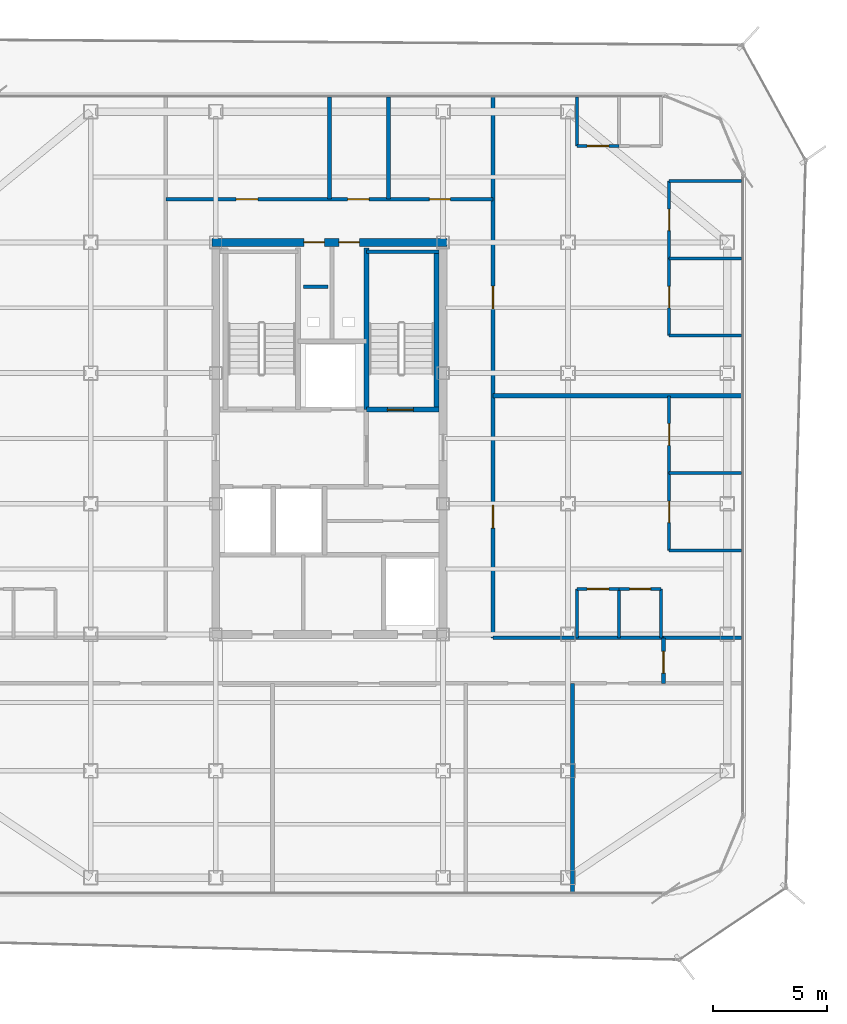
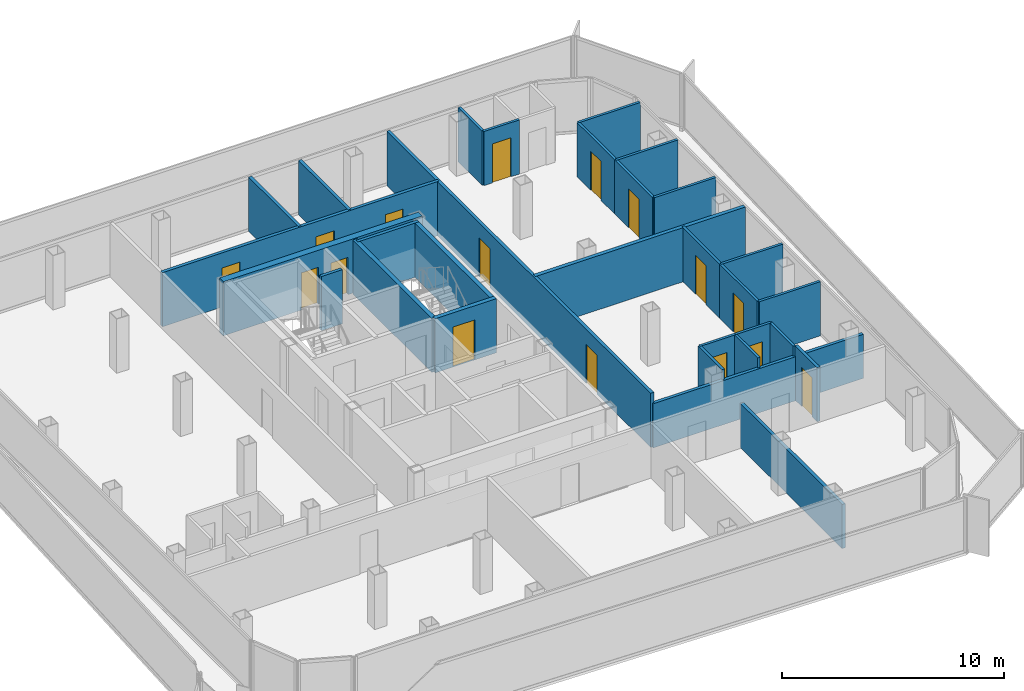
# One storey, part 11 of 15: 31 walls, 16 doors, 16 openings.
"""IFC4 building model written with IfcOpenShell, lengths in metres."""

from ifc_helpers import new_model, si_unit, direction, frame, frame_2d, origin, place, context, subcontext, project, spatial, rectangle, extrude, material, layer, layer_set, type_object, element, fill, save


model = new_model("IFC4")

# Units and contexts
model_context = context("Model", 3, precision=1e-05, world=origin(), true_north=direction((0.0, 1.0)))
body_context = subcontext(model_context, "Body", "Model", "MODEL_VIEW")
ifc_project = project(units=[si_unit("LENGTHUNIT", "METRE"), si_unit("AREAUNIT", "SQUARE_METRE"), si_unit("VOLUMEUNIT", "CUBIC_METRE"), si_unit("PLANEANGLEUNIT", "RADIAN"), si_unit("MASSUNIT", "GRAM", prefix="KILO")], contexts=[model_context])

# Site, building, storey
site_placement = place(None, origin())
site = spatial("IfcSite", under=ifc_project, at=site_placement, CompositionType="ELEMENT")
building_placement = place(site_placement, origin())
building = spatial("IfcBuilding", under=site, at=building_placement, Name="Kolveth Station Tower", CompositionType="ELEMENT")
storey_placement = place(building_placement, frame((0.0, 0.0, 268.10009765625)))
storey = spatial("IfcBuildingStorey", under=building, at=storey_placement, Name="L77", CompositionType="ELEMENT", Elevation=268.10009765625)

# Wall, openings, doors
ifc_material_1 = material(Name="Concrete C50/60", Category="concrete")
ifc_layer_1 = layer(ifc_material_1, 0.35009765625)
ifc_layer_set_1 = layer_set([ifc_layer_1], Name="Concrete C50/60")
wall_type_1 = type_object("IfcWallType", Name="Wall_CW-350", PredefinedType="SHEAR", material=ifc_layer_set_1)
wall_1_placement = place(storey_placement, frame((18.324951171875, 28.75, 0.0), z_axis=(0.0, 0.0, 1.0), x_axis=(1.0, 0.0, 0.0)))
wall_1 = element("IfcWall", 1, at=wall_1_placement, inside=storey, type_object=wall_type_1, Name="L77 Core RC Shear Wall N", PredefinedType="SHEAR", context=body_context, shape_type="SweptSolid", body=[
    extrude(rectangle(XDim=10.35009765625, YDim=0.35009765625, at=frame_2d((5.175048828125, 0.0))), origin(), (0.0, 0.0, 1.0), 2.97998046875),
])
opening_1_placement = place(wall_1_placement, frame((4.054931640625, 0.0, 0.0)))
opening_1 = element("IfcOpeningElement", 2, at=opening_1_placement, cuts=wall_1, Name="Opening RD1", PredefinedType="OPENING", context=body_context, shape_type="SweptSolid", body=[
    extrude(rectangle(XDim=0.89990234375, YDim=2.050048828125, at=frame_2d((0.449951171875, 1.02490234375))), frame((0.0, 0.18505859375, 0.0), z_axis=(0.0, -1.0, 0.0), x_axis=(1.0, 0.0, 0.0)), (0.0, 0.0, 1.0), 0.3701171875),
])
opening_2_placement = place(wall_1_placement, frame((5.594970703125, 0.0, 0.0)))
opening_2 = element("IfcOpeningElement", 3, at=opening_2_placement, cuts=wall_1, Name="Opening RD1", PredefinedType="OPENING", context=body_context, shape_type="SweptSolid", body=[
    extrude(rectangle(XDim=0.89990234375, YDim=2.050048828125, at=frame_2d((0.449951171875, 1.02490234375))), frame((0.0, 0.18505859375, 0.0), z_axis=(0.0, -1.0, 0.0), x_axis=(1.0, 0.0, 0.0)), (0.0, 0.0, 1.0), 0.3701171875),
])
ifc_material_2 = material(Name="Fire-rated Steel S355 riser access leaf", Category="steel")
door_type_1 = type_object("IfcDoorType", Name="Door_RD1", OperationType="NOTDEFINED", PredefinedType="DOOR", material=ifc_material_2)
door_1_placement = place(opening_1_placement, origin())
door_1 = element("IfcDoor", 4, at=door_1_placement, inside=storey, type_object=door_type_1, Name="L77 Electrical Riser Access Door", OperationType="SINGLE_SWING_LEFT", OverallHeight=2.050048828125, OverallWidth=0.89990234375, PredefinedType="DOOR", context=body_context, shape_type="SweptSolid", body=[
    extrude(rectangle(XDim=0.89990234375, YDim=2.050048828125, at=frame_2d((0.449951171875, 1.02490234375))), frame((0.0, 0.02490234375, 0.0), z_axis=(0.0, -1.0, 0.0), x_axis=(1.0, 0.0, 0.0)), (0.0, 0.0, 1.0), 0.050048828125),
])
fill(opening_1, door_1)
door_2_placement = place(opening_2_placement, origin())
door_2 = element("IfcDoor", 5, at=door_2_placement, inside=storey, type_object=door_type_1, Name="L77 Smoke Duct Access Door", OperationType="SINGLE_SWING_RIGHT", OverallHeight=2.050048828125, OverallWidth=0.89990234375, PredefinedType="DOOR", context=body_context, shape_type="SweptSolid", body=[
    extrude(rectangle(XDim=0.89990234375, YDim=2.050048828125, at=frame_2d((0.449951171875, 1.02490234375))), frame((0.0, 0.02490234375, 0.0), z_axis=(0.0, -1.0, 0.0), x_axis=(1.0, 0.0, 0.0)), (0.0, 0.0, 1.0), 0.050048828125),
])
fill(opening_2, door_2)

# Wall, opening, door
ifc_material_3 = material(Name="Moisture-resistant gypsum partition")
ifc_layer_2 = layer(ifc_material_3, 0.135009765625)
ifc_layer_set_2 = layer_set([ifc_layer_2], Name="Moisture-resistant gypsum partition")
wall_type_2 = type_object("IfcWallType", Name="Wall_IW-135", PredefinedType="PARTITIONING", material=ifc_layer_set_2)
wall_2_placement = place(storey_placement, frame((34.39990234375, 13.5, 0.0), z_axis=(0.0, 0.0, 1.0), x_axis=(1.0, 0.0, 0.0)))
wall_2 = element("IfcWall", 6, at=wall_2_placement, inside=storey, type_object=wall_type_2, Name="L77 Partition Wall WL-L77-E1-IBHK", PredefinedType="PARTITIONING", context=body_context, shape_type="SweptSolid", body=[
    extrude(rectangle(XDim=1.85009765625, YDim=0.135009765625, at=frame_2d((0.925048828125, 0.0))), origin(), (0.0, 0.0, 1.0), 2.97998046875),
])
opening_3_placement = place(wall_2_placement, frame((0.445068359375, 0.0, 0.0)))
opening_3 = element("IfcOpeningElement", 7, at=opening_3_placement, cuts=wall_2, Name="Opening ID1", PredefinedType="OPENING", context=body_context, shape_type="SweptSolid", body=[
    extrude(rectangle(XDim=0.949951171875, YDim=2.14990234375, at=frame_2d((0.47509765625, 1.074951171875))), frame((0.0, 0.077392578125, 0.0), z_axis=(0.0, -1.0, 0.0), x_axis=(1.0, 0.0, 0.0)), (0.0, 0.0, 1.0), 0.155029296875),
])
ifc_material_4 = material(Name="Acoustic hardwood leaf and aluminium frame", Category="wood")
door_type_2 = type_object("IfcDoorType", Name="Door_ID1", OperationType="NOTDEFINED", PredefinedType="DOOR", material=ifc_material_4)
door_3_placement = place(opening_3_placement, origin())
door_3 = element("IfcDoor", 8, at=door_3_placement, inside=storey, type_object=door_type_2, Name="Penthouse Flat L77-E1 Kitchen Door", OperationType="SINGLE_SWING_RIGHT", OverallHeight=2.14990234375, OverallWidth=0.949951171875, PredefinedType="DOOR", context=body_context, shape_type="SweptSolid", body=[
    extrude(rectangle(XDim=0.949951171875, YDim=2.14990234375, at=frame_2d((0.47509765625, 1.074951171875))), frame((0.0, 0.02490234375, 0.0), z_axis=(0.0, -1.0, 0.0), x_axis=(1.0, 0.0, 0.0)), (0.0, 0.0, 1.0), 0.050048828125),
])
fill(opening_3, door_3)

wall_3_placement = place(storey_placement, frame((36.25, 13.5, 0.0), z_axis=(0.0, 0.0, 1.0), x_axis=(1.0, 0.0, 0.0)))
wall_3 = element("IfcWall", 9, at=wall_3_placement, inside=storey, type_object=wall_type_2, Name="L77 Partition Wall WL-L77-E1-IBHB", PredefinedType="PARTITIONING", context=body_context, shape_type="SweptSolid", body=[
    extrude(rectangle(XDim=1.85009765625, YDim=0.135009765625, at=frame_2d((0.925048828125, 0.0))), origin(), (0.0, 0.0, 1.0), 2.97998046875),
])
opening_4_placement = place(wall_3_placement, frame((0.465087890625, 0.0, 0.0)))
opening_4 = element("IfcOpeningElement", 10, at=opening_4_placement, cuts=wall_3, Name="Opening ID2", PredefinedType="OPENING", context=body_context, shape_type="SweptSolid", body=[
    extrude(rectangle(XDim=0.919921875, YDim=2.10009765625, at=frame_2d((0.4599609375, 1.050048828125))), frame((0.0, 0.077392578125, 0.0), z_axis=(0.0, -1.0, 0.0), x_axis=(1.0, 0.0, 0.0)), (0.0, 0.0, 1.0), 0.155029296875),
])
ifc_material_5 = material(Name="Moisture-resistant hardwood leaf", Category="wood")
door_type_3 = type_object("IfcDoorType", Name="Door_ID2", OperationType="NOTDEFINED", PredefinedType="DOOR", material=ifc_material_5)
door_4_placement = place(opening_4_placement, origin())
door_4 = element("IfcDoor", 11, at=door_4_placement, inside=storey, type_object=door_type_3, Name="Penthouse Flat L77-E1 Bathroom Door", OperationType="SINGLE_SWING_LEFT", OverallHeight=2.10009765625, OverallWidth=0.919921875, PredefinedType="DOOR", context=body_context, shape_type="SweptSolid", body=[
    extrude(rectangle(XDim=0.919921875, YDim=2.10009765625, at=frame_2d((0.4599609375, 1.050048828125))), frame((0.0, 0.02490234375, 0.0), z_axis=(0.0, -1.0, 0.0), x_axis=(1.0, 0.0, 0.0)), (0.0, 0.0, 1.0), 0.050048828125),
])
fill(opening_4, door_4)

# Walls
for number, where, z_axis, x_axis, name in (
    (12, (34.39990234375, 11.35009765625, 0.0), (0.0, 0.0, 1.0), (0.0, 1.0, 0.0), "L77 Partition Wall WL-L77-E1-IBV0"),
    (13, (36.25, 11.35009765625, 0.0), (0.0, 0.0, 1.0), (0.0, 1.0, 0.0), "L77 Partition Wall WL-L77-E1-IBV1"),
    (14, (38.10009765625, 11.35009765625, 0.0), (0.0, 0.0, 1.0), (0.0, 1.0, 0.0), "L77 Partition Wall WL-L77-E1-IBV2"),
):
    element("IfcWall", number, at=place(storey_placement, frame(where, z_axis=z_axis, x_axis=x_axis)), inside=storey, type_object=wall_type_2, Name=name, PredefinedType="PARTITIONING", context=body_context, shape_type="SweptSolid", body=[
        extrude(rectangle(XDim=2.14990234375, YDim=0.135009765625, at=frame_2d((1.074951171875, 0.0))), origin(), (0.0, 0.0, 1.0), 2.97998046875),
    ])
wall_4_placement = place(storey_placement, frame((38.449951171875, 15.199951171875, 0.0), z_axis=(0.0, 0.0, 1.0), x_axis=(1.0, 0.0, 0.0)))
element("IfcWall", 15, at=wall_4_placement, inside=storey, type_object=wall_type_2, Name="L77 Partition Wall WL-L77-E1-BDH0", PredefinedType="PARTITIONING", context=body_context, shape_type="SweptSolid", body=[
    extrude(rectangle(XDim=3.18994140625, YDim=0.135009765625, at=frame_2d((1.594970703125, 0.0))), origin(), (0.0, 0.0, 1.0), 2.97998046875),
])

# Wall, opening, door
wall_5_placement = place(storey_placement, frame((38.449951171875, 15.199951171875, 0.0), z_axis=(0.0, 0.0, 1.0), x_axis=(0.0, 1.0, 0.0)))
wall_5 = element("IfcWall", 16, at=wall_5_placement, inside=storey, type_object=wall_type_2, Name="L77 Partition Wall WL-L77-E1-BDV1", PredefinedType="PARTITIONING", context=body_context, shape_type="SweptSolid", body=[
    extrude(rectangle(XDim=3.400146484375, YDim=0.135009765625, at=frame_2d((1.7001953125, 0.0))), origin(), (0.0, 0.0, 1.0), 2.97998046875),
])
opening_5_placement = place(wall_5_placement, frame((1.219970703125, 0.0, 0.0)))
opening_5 = element("IfcOpeningElement", 17, at=opening_5_placement, cuts=wall_5, Name="Opening ID1", PredefinedType="OPENING", context=body_context, shape_type="SweptSolid", body=[
    extrude(rectangle(XDim=0.949951171875, YDim=2.14990234375, at=frame_2d((0.47509765625, 1.074951171875))), frame((0.0, 0.077392578125, 0.0), z_axis=(0.0, -1.0, 0.0), x_axis=(1.0, 0.0, 0.0)), (0.0, 0.0, 1.0), 0.155029296875),
])
door_5_placement = place(opening_5_placement, frame((0.949951171875, 0.0, 0.0), z_axis=(0.0, 0.0, 1.0), x_axis=(-1.0, 0.0, 0.0)))
door_5 = element("IfcDoor", 18, at=door_5_placement, inside=storey, type_object=door_type_2, Name="Penthouse Flat L77-E1 Bedroom 1 Door", OperationType="SINGLE_SWING_LEFT", OverallHeight=2.14990234375, OverallWidth=0.949951171875, PredefinedType="DOOR", context=body_context, shape_type="SweptSolid", body=[
    extrude(rectangle(XDim=0.949951171875, YDim=2.14990234375, at=frame_2d((0.47509765625, 1.074951171875))), frame((0.0, 0.02490234375, 0.0), z_axis=(0.0, -1.0, 0.0), x_axis=(1.0, 0.0, 0.0)), (0.0, 0.0, 1.0), 0.050048828125),
])
fill(opening_5, door_5)

wall_6_placement = place(storey_placement, frame((38.449951171875, 18.60009765625, 0.0), z_axis=(0.0, 0.0, 1.0), x_axis=(0.0, 1.0, 0.0)))
wall_6 = element("IfcWall", 19, at=wall_6_placement, inside=storey, type_object=wall_type_2, Name="L77 Partition Wall WL-L77-E1-BDV2", PredefinedType="PARTITIONING", context=body_context, shape_type="SweptSolid", body=[
    extrude(rectangle(XDim=3.39990234375, YDim=0.135009765625, at=frame_2d((1.699951171875, 0.0))), origin(), (0.0, 0.0, 1.0), 2.97998046875),
])
opening_6_placement = place(wall_6_placement, frame((1.219970703125, 0.0, 0.0)))
opening_6 = element("IfcOpeningElement", 20, at=opening_6_placement, cuts=wall_6, Name="Opening ID1", PredefinedType="OPENING", context=body_context, shape_type="SweptSolid", body=[
    extrude(rectangle(XDim=0.949951171875, YDim=2.14990234375, at=frame_2d((0.47509765625, 1.074951171875))), frame((0.0, 0.077392578125, 0.0), z_axis=(0.0, -1.0, 0.0), x_axis=(1.0, 0.0, 0.0)), (0.0, 0.0, 1.0), 0.155029296875),
])
door_6_placement = place(opening_6_placement, frame((0.949951171875, 0.0, 0.0), z_axis=(0.0, 0.0, 1.0), x_axis=(-1.0, 0.0, 0.0)))
door_6 = element("IfcDoor", 21, at=door_6_placement, inside=storey, type_object=door_type_2, Name="Penthouse Flat L77-E1 Bedroom 2 Door", OperationType="SINGLE_SWING_LEFT", OverallHeight=2.14990234375, OverallWidth=0.949951171875, PredefinedType="DOOR", context=body_context, shape_type="SweptSolid", body=[
    extrude(rectangle(XDim=0.949951171875, YDim=2.14990234375, at=frame_2d((0.47509765625, 1.074951171875))), frame((0.0, 0.02490234375, 0.0), z_axis=(0.0, -1.0, 0.0), x_axis=(1.0, 0.0, 0.0)), (0.0, 0.0, 1.0), 0.050048828125),
])
fill(opening_6, door_6)

# Wall
wall_7_placement = place(storey_placement, frame((38.449951171875, 18.60009765625, 0.0), z_axis=(0.0, 0.0, 1.0), x_axis=(1.0, 0.0, 0.0)))
element("IfcWall", 22, at=wall_7_placement, inside=storey, type_object=wall_type_2, Name="L77 Partition Wall WL-L77-E1-BDH1", PredefinedType="PARTITIONING", context=body_context, shape_type="SweptSolid", body=[
    extrude(rectangle(XDim=3.18994140625, YDim=0.135009765625, at=frame_2d((1.594970703125, 0.0))), origin(), (0.0, 0.0, 1.0), 2.97998046875),
])

# Wall, opening, door
wall_8_placement = place(storey_placement, frame((34.39990234375, 32.989990234375, 0.0), z_axis=(0.0, 0.0, 1.0), x_axis=(1.0, 0.0, 0.0)))
wall_8 = element("IfcWall", 23, at=wall_8_placement, inside=storey, type_object=wall_type_2, Name="L77 Partition Wall WL-L77-E2-IBHK", PredefinedType="PARTITIONING", context=body_context, shape_type="SweptSolid", body=[
    extrude(rectangle(XDim=1.85009765625, YDim=0.135009765625, at=frame_2d((0.925048828125, 0.0))), origin(), (0.0, 0.0, 1.0), 2.97998046875),
])
opening_7_placement = place(wall_8_placement, frame((0.445068359375, 0.0, 0.0)))
opening_7 = element("IfcOpeningElement", 24, at=opening_7_placement, cuts=wall_8, Name="Opening ID1", PredefinedType="OPENING", context=body_context, shape_type="SweptSolid", body=[
    extrude(rectangle(XDim=0.949951171875, YDim=2.14990234375, at=frame_2d((0.47509765625, 1.074951171875))), frame((0.0, 0.077392578125, 0.0), z_axis=(0.0, -1.0, 0.0), x_axis=(1.0, 0.0, 0.0)), (0.0, 0.0, 1.0), 0.155029296875),
])
door_7_placement = place(opening_7_placement, frame((0.949951171875, 0.0, 0.0), z_axis=(0.0, 0.0, 1.0), x_axis=(-1.0, 0.0, 0.0)))
door_7 = element("IfcDoor", 25, at=door_7_placement, inside=storey, type_object=door_type_2, Name="Penthouse Flat L77-E2 Kitchen Door", OperationType="SINGLE_SWING_LEFT", OverallHeight=2.14990234375, OverallWidth=0.949951171875, PredefinedType="DOOR", context=body_context, shape_type="SweptSolid", body=[
    extrude(rectangle(XDim=0.949951171875, YDim=2.14990234375, at=frame_2d((0.47509765625, 1.074951171875))), frame((0.0, 0.02490234375, 0.0), z_axis=(0.0, -1.0, 0.0), x_axis=(1.0, 0.0, 0.0)), (0.0, 0.0, 1.0), 0.050048828125),
])
fill(opening_7, door_7)

# Walls
wall_9_placement = place(storey_placement, frame((34.39990234375, 32.989990234375, 0.0), z_axis=(0.0, 0.0, 1.0), x_axis=(0.0, 1.0, 0.0)))
element("IfcWall", 26, at=wall_9_placement, inside=storey, type_object=wall_type_2, Name="L77 Partition Wall WL-L77-E2-IBV0", PredefinedType="PARTITIONING", context=body_context, shape_type="SweptSolid", body=[
    extrude(rectangle(XDim=2.14990234375, YDim=0.135009765625, at=frame_2d((1.074951171875, 0.0))), origin(), (0.0, 0.0, 1.0), 2.97998046875),
])
for number, where, z_axis, x_axis, name in (
    (27, (38.449951171875, 24.64599609375, 0.0), (0.0, 0.0, 1.0), (1.0, 0.0, 0.0), "L77 Partition Wall WL-L77-E2-BDH0"),
    (28, (38.449951171875, 31.449951171875, 0.0), (0.0, 0.0, 1.0), (1.0, 0.0, 0.0), "L77 Partition Wall WL-L77-E2-BDHE"),
):
    element("IfcWall", number, at=place(storey_placement, frame(where, z_axis=z_axis, x_axis=x_axis)), inside=storey, type_object=wall_type_2, Name=name, PredefinedType="PARTITIONING", context=body_context, shape_type="SweptSolid", body=[
        extrude(rectangle(XDim=3.18994140625, YDim=0.135009765625, at=frame_2d((1.594970703125, 0.0))), origin(), (0.0, 0.0, 1.0), 2.97998046875),
    ])

# Wall, opening, door
wall_10_placement = place(storey_placement, frame((38.449951171875, 24.64599609375, 0.0), z_axis=(0.0, 0.0, 1.0), x_axis=(0.0, 1.0, 0.0)))
wall_10 = element("IfcWall", 29, at=wall_10_placement, inside=storey, type_object=wall_type_2, Name="L77 Partition Wall WL-L77-E2-BDV1", PredefinedType="PARTITIONING", context=body_context, shape_type="SweptSolid", body=[
    extrude(rectangle(XDim=3.402099609375, YDim=0.135009765625, at=frame_2d((1.701171875, 0.0))), origin(), (0.0, 0.0, 1.0), 2.97998046875),
])
opening_8_placement = place(wall_10_placement, frame((1.220947265625, 0.0, 0.0)))
opening_8 = element("IfcOpeningElement", 30, at=opening_8_placement, cuts=wall_10, Name="Opening ID1", PredefinedType="OPENING", context=body_context, shape_type="SweptSolid", body=[
    extrude(rectangle(XDim=0.949951171875, YDim=2.14990234375, at=frame_2d((0.47509765625, 1.074951171875))), frame((0.0, 0.077392578125, 0.0), z_axis=(0.0, -1.0, 0.0), x_axis=(1.0, 0.0, 0.0)), (0.0, 0.0, 1.0), 0.155029296875),
])
door_8_placement = place(opening_8_placement, frame((0.949951171875, 0.0, 0.0), z_axis=(0.0, 0.0, 1.0), x_axis=(-1.0, 0.0, 0.0)))
door_8 = element("IfcDoor", 31, at=door_8_placement, inside=storey, type_object=door_type_2, Name="Penthouse Flat L77-E2 Bedroom 1 Door", OperationType="SINGLE_SWING_LEFT", OverallHeight=2.14990234375, OverallWidth=0.949951171875, PredefinedType="DOOR", context=body_context, shape_type="SweptSolid", body=[
    extrude(rectangle(XDim=0.949951171875, YDim=2.14990234375, at=frame_2d((0.47509765625, 1.074951171875))), frame((0.0, 0.02490234375, 0.0), z_axis=(0.0, -1.0, 0.0), x_axis=(1.0, 0.0, 0.0)), (0.0, 0.0, 1.0), 0.050048828125),
])
fill(opening_8, door_8)

wall_11_placement = place(storey_placement, frame((38.449951171875, 28.048095703125, 0.0), z_axis=(0.0, 0.0, 1.0), x_axis=(0.0, 1.0, 0.0)))
wall_11 = element("IfcWall", 32, at=wall_11_placement, inside=storey, type_object=wall_type_2, Name="L77 Partition Wall WL-L77-E2-BDV2", PredefinedType="PARTITIONING", context=body_context, shape_type="SweptSolid", body=[
    extrude(rectangle(XDim=3.40185546875, YDim=0.135009765625, at=frame_2d((1.700927734375, 0.0))), origin(), (0.0, 0.0, 1.0), 2.97998046875),
])
opening_9_placement = place(wall_11_placement, frame((1.220947265625, 0.0, 0.0)))
opening_9 = element("IfcOpeningElement", 33, at=opening_9_placement, cuts=wall_11, Name="Opening ID1", PredefinedType="OPENING", context=body_context, shape_type="SweptSolid", body=[
    extrude(rectangle(XDim=0.949951171875, YDim=2.14990234375, at=frame_2d((0.47509765625, 1.074951171875))), frame((0.0, 0.077392578125, 0.0), z_axis=(0.0, -1.0, 0.0), x_axis=(1.0, 0.0, 0.0)), (0.0, 0.0, 1.0), 0.155029296875),
])
door_9_placement = place(opening_9_placement, frame((0.949951171875, 0.0, 0.0), z_axis=(0.0, 0.0, 1.0), x_axis=(-1.0, 0.0, 0.0)))
door_9 = element("IfcDoor", 34, at=door_9_placement, inside=storey, type_object=door_type_2, Name="Penthouse Flat L77-E2 Bedroom 2 Door", OperationType="SINGLE_SWING_RIGHT", OverallHeight=2.14990234375, OverallWidth=0.949951171875, PredefinedType="DOOR", context=body_context, shape_type="SweptSolid", body=[
    extrude(rectangle(XDim=0.949951171875, YDim=2.14990234375, at=frame_2d((0.47509765625, 1.074951171875))), frame((0.0, 0.02490234375, 0.0), z_axis=(0.0, -1.0, 0.0), x_axis=(1.0, 0.0, 0.0)), (0.0, 0.0, 1.0), 0.050048828125),
])
fill(opening_9, door_9)

# Walls
wall_12_placement = place(storey_placement, frame((38.449951171875, 28.048095703125, 0.0), z_axis=(0.0, 0.0, 1.0), x_axis=(1.0, 0.0, 0.0)))
element("IfcWall", 35, at=wall_12_placement, inside=storey, type_object=wall_type_2, Name="L77 Partition Wall WL-L77-E2-BDH1", PredefinedType="PARTITIONING", context=body_context, shape_type="SweptSolid", body=[
    extrude(rectangle(XDim=3.18994140625, YDim=0.135009765625, at=frame_2d((1.594970703125, 0.0))), origin(), (0.0, 0.0, 1.0), 2.97998046875),
])
ifc_material_6 = material(Name="Acoustic double-stud gypsum partition")
ifc_layer_3 = layer(ifc_material_6, 0.1650390625)
ifc_layer_set_3 = layer_set([ifc_layer_3], Name="Acoustic double-stud gypsum partition")
wall_type_3 = type_object("IfcWallType", Name="Wall_IW-165", PredefinedType="PARTITIONING", material=ifc_layer_set_3)
wall_13_placement = place(storey_placement, frame((25.1298828125, 28.3349609375, 0.0), z_axis=(0.0, 0.0, 1.0), x_axis=(1.0, 0.0, 0.0)))
element("IfcWall", 36, at=wall_13_placement, inside=storey, type_object=wall_type_3, Name="L77 Stair Shaft Wall WL-L77-ST2-N", PredefinedType="PARTITIONING", context=body_context, shape_type="SweptSolid", body=[
    extrude(rectangle(XDim=3.18505859375, YDim=0.1650390625, at=frame_2d((1.592529296875, 0.0))), origin(), (0.0, 0.0, 1.0), 2.97998046875),
])
wall_14_placement = place(storey_placement, frame((30.699951171875, 11.35009765625, 0.0), z_axis=(0.0, 0.0, 1.0), x_axis=(1.0, 0.0, 0.0)))
element("IfcWall", 37, at=wall_14_placement, inside=storey, type_object=wall_type_3, Name="L77 Partition Wall WL-L77-RSET", PredefinedType="PARTITIONING", context=body_context, shape_type="SweptSolid", body=[
    extrude(rectangle(XDim=7.5, YDim=0.1650390625, at=frame_2d((3.75, 0.0))), origin(), (0.0, 0.0, 1.0), 2.427978515625),
])

# Wall, opening, door
wall_15_placement = place(storey_placement, frame((38.199951171875, 9.35009765625, 0.0), z_axis=(0.0, 0.0, 1.0), x_axis=(0.0, 1.0, 0.0)))
wall_15 = element("IfcWall", 38, at=wall_15_placement, inside=storey, type_object=wall_type_3, Name="L77 Partition Wall WL-L77-RSEE", PredefinedType="PARTITIONING", context=body_context, shape_type="SweptSolid", body=[
    extrude(rectangle(XDim=2.0, YDim=0.1650390625, at=frame_2d((1.0, 0.0))), origin(), (0.0, 0.0, 1.0), 2.97998046875),
])
opening_10_placement = place(wall_15_placement, frame((0.449951171875, 0.0, 0.0)))
opening_10 = element("IfcOpeningElement", 39, at=opening_10_placement, cuts=wall_15, Name="Opening ID1", PredefinedType="OPENING", context=body_context, shape_type="SweptSolid", body=[
    extrude(rectangle(XDim=0.949951171875, YDim=2.14990234375, at=frame_2d((0.47509765625, 1.074951171875))), frame((0.0, 0.092529296875, 0.0), z_axis=(0.0, -1.0, 0.0), x_axis=(1.0, 0.0, 0.0)), (0.0, 0.0, 1.0), 0.18505859375),
])
door_10_placement = place(opening_10_placement, origin())
door_10 = element("IfcDoor", 40, at=door_10_placement, inside=storey, type_object=door_type_2, Name="L77 Hobby Study Door", OperationType="SINGLE_SWING_RIGHT", OverallHeight=2.14990234375, OverallWidth=0.949951171875, PredefinedType="DOOR", context=body_context, shape_type="SweptSolid", body=[
    extrude(rectangle(XDim=0.949951171875, YDim=2.14990234375, at=frame_2d((0.47509765625, 1.074951171875))), frame((0.0, 0.02490234375, 0.0), z_axis=(0.0, -1.0, 0.0), x_axis=(1.0, 0.0, 0.0)), (0.0, 0.0, 1.0), 0.050048828125),
])
fill(opening_10, door_10)

# Wall, openings, doors
wall_16_placement = place(storey_placement, frame((16.300048828125, 30.64990234375, 0.0), z_axis=(0.0, 0.0, 1.0), x_axis=(1.0, 0.0, 0.0)))
wall_16 = element("IfcWall", 41, at=wall_16_placement, inside=storey, type_object=wall_type_3, Name="L77 Partition Wall WL-L77-RN", PredefinedType="PARTITIONING", context=body_context, shape_type="SweptSolid", body=[
    extrude(rectangle(XDim=14.39990234375, YDim=0.1650390625, at=frame_2d((7.199951171875, 0.0))), origin(), (0.0, 0.0, 1.0), 2.97998046875),
])
opening_11_placement = place(wall_16_placement, frame((3.10009765625, 0.0, 0.0)))
opening_11 = element("IfcOpeningElement", 42, at=opening_11_placement, cuts=wall_16, Name="Opening ID1", PredefinedType="OPENING", context=body_context, shape_type="SweptSolid", body=[
    extrude(rectangle(XDim=0.949951171875, YDim=2.14990234375, at=frame_2d((0.47509765625, 1.074951171875))), frame((0.0, 0.092529296875, 0.0), z_axis=(0.0, -1.0, 0.0), x_axis=(1.0, 0.0, 0.0)), (0.0, 0.0, 1.0), 0.18505859375),
])
opening_12_placement = place(wall_16_placement, frame((8.0, 0.0, 0.0)))
opening_12 = element("IfcOpeningElement", 43, at=opening_12_placement, cuts=wall_16, Name="Opening ID1", PredefinedType="OPENING", context=body_context, shape_type="SweptSolid", body=[
    extrude(rectangle(XDim=0.949951171875, YDim=2.14990234375, at=frame_2d((0.47509765625, 1.074951171875))), frame((0.0, 0.092529296875, 0.0), z_axis=(0.0, -1.0, 0.0), x_axis=(1.0, 0.0, 0.0)), (0.0, 0.0, 1.0), 0.18505859375),
])
opening_13_placement = place(wall_16_placement, frame((11.60009765625, 0.0, 0.0)))
opening_13 = element("IfcOpeningElement", 44, at=opening_13_placement, cuts=wall_16, Name="Opening ID2", PredefinedType="OPENING", context=body_context, shape_type="SweptSolid", body=[
    extrude(rectangle(XDim=0.919921875, YDim=2.10009765625, at=frame_2d((0.4599609375, 1.050048828125))), frame((0.0, 0.092529296875, 0.0), z_axis=(0.0, -1.0, 0.0), x_axis=(1.0, 0.0, 0.0)), (0.0, 0.0, 1.0), 0.18505859375),
])
door_11_placement = place(opening_11_placement, origin())
door_11 = element("IfcDoor", 45, at=door_11_placement, inside=storey, type_object=door_type_2, Name="L77 Residents' Sky Lounge Door", OperationType="SINGLE_SWING_RIGHT", OverallHeight=2.14990234375, OverallWidth=0.949951171875, PredefinedType="DOOR", context=body_context, shape_type="SweptSolid", body=[
    extrude(rectangle(XDim=0.949951171875, YDim=2.14990234375, at=frame_2d((0.47509765625, 1.074951171875))), frame((0.0, 0.02490234375, 0.0), z_axis=(0.0, -1.0, 0.0), x_axis=(1.0, 0.0, 0.0)), (0.0, 0.0, 1.0), 0.050048828125),
])
fill(opening_11, door_11)
door_12_placement = place(opening_12_placement, origin())
door_12 = element("IfcDoor", 46, at=door_12_placement, inside=storey, type_object=door_type_2, Name="L77 Residents' Committee Room Door", OperationType="SINGLE_SWING_LEFT", OverallHeight=2.14990234375, OverallWidth=0.949951171875, PredefinedType="DOOR", context=body_context, shape_type="SweptSolid", body=[
    extrude(rectangle(XDim=0.949951171875, YDim=2.14990234375, at=frame_2d((0.47509765625, 1.074951171875))), frame((0.0, 0.02490234375, 0.0), z_axis=(0.0, -1.0, 0.0), x_axis=(1.0, 0.0, 0.0)), (0.0, 0.0, 1.0), 0.050048828125),
])
fill(opening_12, door_12)
door_13_placement = place(opening_13_placement, origin())
door_13 = element("IfcDoor", 47, at=door_13_placement, inside=storey, type_object=door_type_3, Name="L77 Accessible Residents' WC Door", OperationType="SINGLE_SWING_LEFT", OverallHeight=2.10009765625, OverallWidth=0.919921875, PredefinedType="DOOR", context=body_context, shape_type="SweptSolid", body=[
    extrude(rectangle(XDim=0.919921875, YDim=2.10009765625, at=frame_2d((0.4599609375, 1.050048828125))), frame((0.0, 0.02490234375, 0.0), z_axis=(0.0, -1.0, 0.0), x_axis=(1.0, 0.0, 0.0)), (0.0, 0.0, 1.0), 0.050048828125),
])
fill(opening_13, door_13)

wall_17_placement = place(storey_placement, frame((30.699951171875, 11.35009765625, 0.0), z_axis=(0.0, 0.0, 1.0), x_axis=(0.0, 1.0, 0.0)))
wall_17 = element("IfcWall", 48, at=wall_17_placement, inside=storey, type_object=wall_type_3, Name="L77 Partition Wall WL-L77-RE", PredefinedType="PARTITIONING", context=body_context, shape_type="SweptSolid", body=[
    extrude(rectangle(XDim=23.789794921875, YDim=0.1650390625, at=frame_2d((11.89501953125, 0.0))), origin(), (0.0, 0.0, 1.0), 2.97998046875),
])
opening_14_placement = place(wall_17_placement, frame((4.824951171875, 0.0, 0.0)))
opening_14 = element("IfcOpeningElement", 49, at=opening_14_placement, cuts=wall_17, Name="Opening FD3", PredefinedType="OPENING", context=body_context, shape_type="SweptSolid", body=[
    extrude(rectangle(XDim=1.0, YDim=2.14990234375, at=frame_2d((0.5, 1.074951171875))), frame((0.0, 0.092529296875, 0.0), z_axis=(0.0, -1.0, 0.0), x_axis=(1.0, 0.0, 0.0)), (0.0, 0.0, 1.0), 0.18505859375),
])
opening_15_placement = place(wall_17_placement, frame((14.47509765625, 0.0, 0.0)))
opening_15 = element("IfcOpeningElement", 50, at=opening_15_placement, cuts=wall_17, Name="Opening FD3", PredefinedType="OPENING", context=body_context, shape_type="SweptSolid", body=[
    extrude(rectangle(XDim=1.0, YDim=2.14990234375, at=frame_2d((0.5, 1.074951171875))), frame((0.0, 0.092529296875, 0.0), z_axis=(0.0, -1.0, 0.0), x_axis=(1.0, 0.0, 0.0)), (0.0, 0.0, 1.0), 0.18505859375),
])
ifc_material_7 = material(Name="Fire-rated hardwood leaf and aluminium frame", Category="wood")
door_type_4 = type_object("IfcDoorType", Name="Door_FD3", OperationType="NOTDEFINED", PredefinedType="DOOR", material=ifc_material_7)
door_14_placement = place(opening_14_placement, frame((1.0, 0.0, 0.0), z_axis=(0.0, 0.0, 1.0), x_axis=(-1.0, 0.0, 0.0)))
door_14 = element("IfcDoor", 51, at=door_14_placement, inside=storey, type_object=door_type_4, Name="Penthouse Flat L77-E1 Entrance Door", OperationType="SINGLE_SWING_RIGHT", OverallHeight=2.14990234375, OverallWidth=1.0, PredefinedType="DOOR", context=body_context, shape_type="SweptSolid", body=[
    extrude(rectangle(XDim=1.0, YDim=2.14990234375, at=frame_2d((0.5, 1.074951171875))), frame((0.0, 0.02490234375, 0.0), z_axis=(0.0, -1.0, 0.0), x_axis=(1.0, 0.0, 0.0)), (0.0, 0.0, 1.0), 0.050048828125),
])
fill(opening_14, door_14)
door_15_placement = place(opening_15_placement, frame((1.0, 0.0, 0.0), z_axis=(0.0, 0.0, 1.0), x_axis=(-1.0, 0.0, 0.0)))
door_15 = element("IfcDoor", 52, at=door_15_placement, inside=storey, type_object=door_type_4, Name="Penthouse Flat L77-E2 Entrance Door", OperationType="SINGLE_SWING_LEFT", OverallHeight=2.14990234375, OverallWidth=1.0, PredefinedType="DOOR", context=body_context, shape_type="SweptSolid", body=[
    extrude(rectangle(XDim=1.0, YDim=2.14990234375, at=frame_2d((0.5, 1.074951171875))), frame((0.0, 0.02490234375, 0.0), z_axis=(0.0, -1.0, 0.0), x_axis=(1.0, 0.0, 0.0)), (0.0, 0.0, 1.0), 0.050048828125),
])
fill(opening_15, door_15)

# Walls
wall_18_placement = place(storey_placement, frame((34.199951171875, 0.159912109375, 0.0), z_axis=(0.0, 0.0, 1.0), x_axis=(0.0, 1.0, 0.0)))
element("IfcWall", 53, at=wall_18_placement, inside=storey, type_object=wall_type_3, Name="L77 Partition Wall WL-L77-RSA-P3", PredefinedType="PARTITIONING", context=body_context, shape_type="SweptSolid", body=[
    extrude(rectangle(XDim=9.190185546875, YDim=0.1650390625, at=frame_2d((4.59521484375, 0.0))), origin(), (0.0, 0.0, 1.0), 2.427978515625),
])
wall_19_placement = place(storey_placement, frame((38.199951171875, 11.35009765625, 0.0), z_axis=(0.0, 0.0, 1.0), x_axis=(1.0, 0.0, 0.0)))
element("IfcWall", 54, at=wall_19_placement, inside=storey, type_object=wall_type_3, Name="L77 Partition Wall WL-L77-ESTN", PredefinedType="PARTITIONING", context=body_context, shape_type="SweptSolid", body=[
    extrude(rectangle(XDim=3.43994140625, YDim=0.1650390625, at=frame_2d((1.719970703125, 0.0))), origin(), (0.0, 0.0, 1.0), 2.427978515625),
])
for number, where, z_axis, x_axis, name in (
    (55, (23.5, 30.64990234375, 0.0), (0.0, 0.0, 1.0), (0.0, 1.0, 0.0), "L77 Partition Wall WL-L77-RN-P1"),
    (56, (26.10009765625, 30.64990234375, 0.0), (0.0, 0.0, 1.0), (0.0, 1.0, 0.0), "L77 Partition Wall WL-L77-RN-P2"),
):
    element("IfcWall", number, at=place(storey_placement, frame(where, z_axis=z_axis, x_axis=x_axis)), inside=storey, type_object=wall_type_3, Name=name, PredefinedType="PARTITIONING", context=body_context, shape_type="SweptSolid", body=[
        extrude(rectangle(XDim=4.489990234375, YDim=0.1650390625, at=frame_2d((2.2451171875, 0.0))), origin(), (0.0, 0.0, 1.0), 2.97998046875),
    ])
wall_20_placement = place(storey_placement, frame((22.35009765625, 26.800048828125, 0.0), z_axis=(0.0, 0.0, 1.0), x_axis=(1.0, 0.0, 0.0)))
element("IfcWall", 57, at=wall_20_placement, inside=storey, type_object=wall_type_3, Name="L77 Acoustic Riser Dry-Lining Wall", PredefinedType="PARTITIONING", context=body_context, shape_type="SweptSolid", body=[
    extrude(rectangle(XDim=1.099853515625, YDim=0.1650390625, at=frame_2d((0.5498046875, 0.0))), origin(), (0.0, 0.0, 1.0), 2.97998046875),
])
ifc_material_8 = material(Name="Acoustic fire-rated gypsum blockwork", Category="masonry")
ifc_layer_4 = layer(ifc_material_8, 0.199951171875)
ifc_layer_set_4 = layer_set([ifc_layer_4], Name="Acoustic fire-rated gypsum blockwork")
wall_type_4 = type_object("IfcWallType", Name="Wall_IW-200", PredefinedType="PARTITIONING", material=ifc_layer_set_4)
wall_21_placement = place(storey_placement, frame((30.699951171875, 22.0, 0.0), z_axis=(0.0, 0.0, 1.0), x_axis=(1.0, 0.0, 0.0)))
element("IfcWall", 58, at=wall_21_placement, inside=storey, type_object=wall_type_4, Name="L77 Partition Wall WL-L77-REU-1", PredefinedType="PARTITIONING", context=body_context, shape_type="SweptSolid", body=[
    extrude(rectangle(XDim=10.93994140625, YDim=0.199951171875, at=frame_2d((5.469970703125, 0.0))), origin(), (0.0, 0.0, 1.0), 2.97998046875),
])
ifc_material_9 = material(Name="Concrete C40/50", Category="concrete")
ifc_layer_5 = layer(ifc_material_9, 0.219970703125)
ifc_layer_set_5 = layer_set([ifc_layer_5], Name="Concrete C40/50")
wall_type_5 = type_object("IfcWallType", Name="Wall_IW-220", PredefinedType="SOLIDWALL", material=ifc_layer_set_5)
wall_22_placement = place(storey_placement, frame((25.1298828125, 21.389892578125, 0.0), z_axis=(0.0, 0.0, 1.0), x_axis=(0.0, 1.0, 0.0)))
element("IfcWall", 59, at=wall_22_placement, inside=storey, type_object=wall_type_5, Name="L77 Stair Shaft Wall WL-L77-ST2-W", PredefinedType="SOLIDWALL", context=body_context, shape_type="SweptSolid", body=[
    extrude(rectangle(XDim=7.110107421875, YDim=0.219970703125, at=frame_2d((3.55517578125, 0.0))), origin(), (0.0, 0.0, 1.0), 2.97998046875),
])
wall_23_placement = place(storey_placement, frame((28.2099609375, 21.389892578125, 0.0), z_axis=(0.0, 0.0, 1.0), x_axis=(0.0, 1.0, 0.0)))
element("IfcWall", 60, at=wall_23_placement, inside=storey, type_object=wall_type_5, Name="L77 Stair Shaft Wall WL-L77-ST2-E", PredefinedType="SOLIDWALL", context=body_context, shape_type="SweptSolid", body=[
    extrude(rectangle(XDim=6.945068359375, YDim=0.219970703125, at=frame_2d((3.47265625, 0.0))), origin(), (0.0, 0.0, 1.0), 2.97998046875),
])

# Wall, opening, door
wall_24_placement = place(storey_placement, frame((25.1298828125, 21.389892578125, 0.0), z_axis=(0.0, 0.0, 1.0), x_axis=(1.0, 0.0, 0.0)))
wall_24 = element("IfcWall", 61, at=wall_24_placement, inside=storey, type_object=wall_type_5, Name="L77 Stair Shaft Wall WL-L77-ST2-S", PredefinedType="SOLIDWALL", context=body_context, shape_type="SweptSolid", body=[
    extrude(rectangle(XDim=3.18505859375, YDim=0.219970703125, at=frame_2d((1.592529296875, 0.0))), origin(), (0.0, 0.0, 1.0), 2.97998046875),
])
opening_16_placement = place(wall_24_placement, frame((0.919921875, 0.0, 0.0)))
opening_16 = element("IfcOpeningElement", 62, at=opening_16_placement, cuts=wall_24, Name="Opening FD1", PredefinedType="OPENING", context=body_context, shape_type="SweptSolid", body=[
    extrude(rectangle(XDim=1.14990234375, YDim=2.199951171875, at=frame_2d((0.574951171875, 1.10009765625))), frame((0.0, 0.119873046875, 0.0), z_axis=(0.0, -1.0, 0.0), x_axis=(1.0, 0.0, 0.0)), (0.0, 0.0, 1.0), 0.239990234375),
])
ifc_material_10 = material(Name="Fire-rated Steel S355 leaf and frame", Category="steel")
door_type_5 = type_object("IfcDoorType", Name="Door_FD1", OperationType="NOTDEFINED", PredefinedType="DOOR", material=ifc_material_10)
door_16_placement = place(opening_16_placement, frame((1.14990234375, 0.0, 0.0), z_axis=(0.0, 0.0, 1.0), x_axis=(-1.0, 0.0, 0.0)))
door_16 = element("IfcDoor", 63, at=door_16_placement, inside=storey, type_object=door_type_5, Name="L77 Stair ST2 Fire Door", OperationType="SINGLE_SWING_LEFT", OverallHeight=2.199951171875, OverallWidth=1.14990234375, PredefinedType="DOOR", context=body_context, shape_type="SweptSolid", body=[
    extrude(rectangle(XDim=1.14990234375, YDim=2.199951171875, at=frame_2d((0.574951171875, 1.10009765625))), frame((0.0, 0.02490234375, 0.0), z_axis=(0.0, -1.0, 0.0), x_axis=(1.0, 0.0, 0.0)), (0.0, 0.0, 1.0), 0.050048828125),
])
fill(opening_16, door_16)

save(model, "model.ifc")
